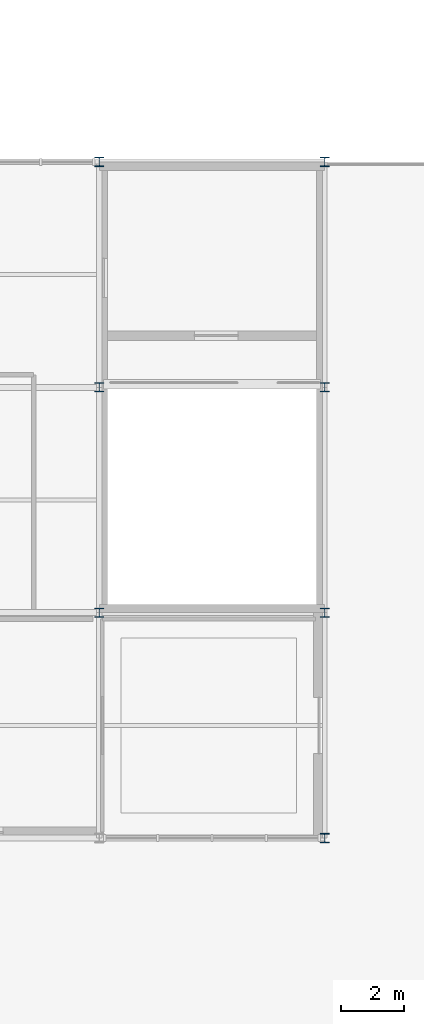
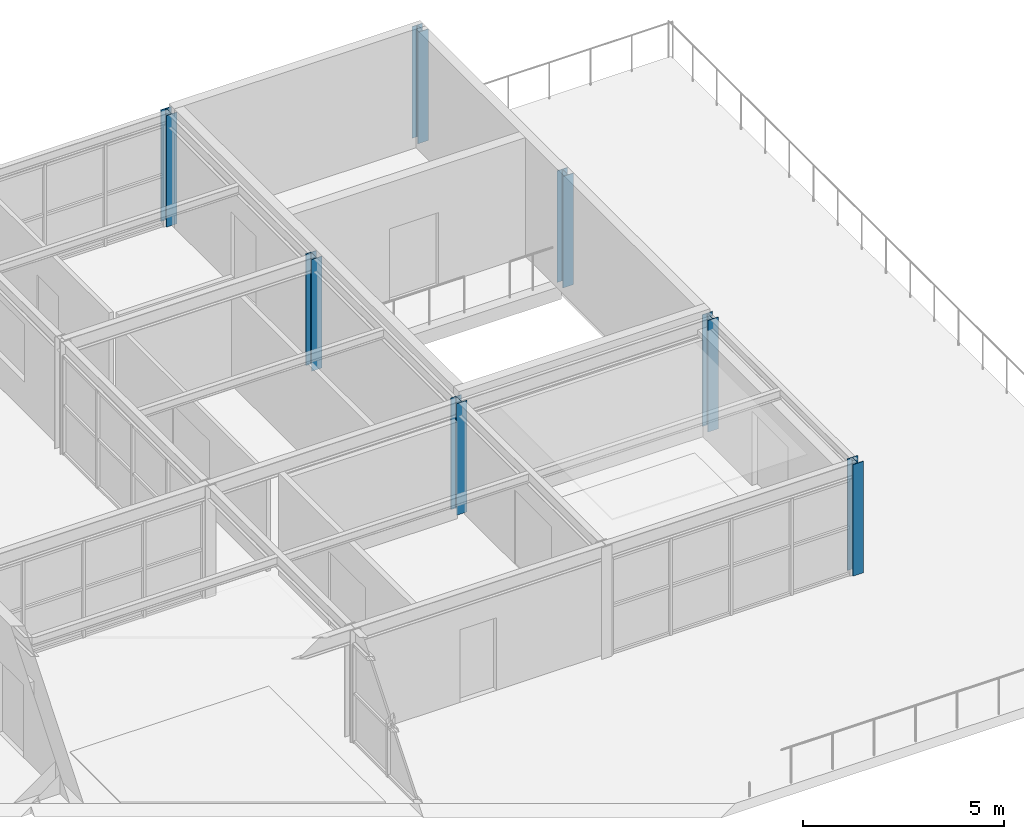
# One storey, part 6 of 22: 7 columns.
"""IFC4 building model written with IfcOpenShell, lengths in metres."""

import ifcopenshell
import ifcopenshell.guid

model = None  # the IFC model being written
_history = None  # IfcOwnerHistory: only IFC2X3 demands one
_inside = {}  # id of a spatial element -> (the spatial element, [elements in it])
_under = {}  # id of a project, library or spatial element -> (it, [spatial elements below it])
_declared = {}  # id of a project -> (the project, [libraries it declares])
_typed = {}  # id of a type object -> (the type object, [elements of that type])
_made_of = {}  # id of a material, layer set ... -> (it, [elements and type objects made of it])


def new_model(schema):
    """Start an empty IFC model of exactly this schema.

    Asked for "IFC4X3", IfcOpenShell would pick the latest addendum, in which some entities
    have other attributes; the version numbers below select the first issue.
    IFC2X3 requires an IfcOwnerHistory on every rooted entity: one is made here for all.
    """
    global model, _history
    if schema == "IFC4X3":
        model = ifcopenshell.file(schema_version=(4, 3, 0, 0))
    else:
        model = ifcopenshell.file(schema=schema)
    _inside.clear()
    _under.clear()
    _declared.clear()
    _typed.clear()
    _made_of.clear()
    _history = None
    if model.schema == "IFC2X3":
        org = make("IfcOrganization", Name="unknown")
        user = make(
            "IfcPersonAndOrganization",
            ThePerson=make("IfcPerson", FamilyName="unknown"),
            TheOrganization=org,
        )
        app = make(
            "IfcApplication",
            ApplicationDeveloper=org,
            Version="unknown",
            ApplicationFullName="unknown",
            ApplicationIdentifier="unknown",
        )
        _history = make(
            "IfcOwnerHistory",
            OwningUser=user,
            OwningApplication=app,
            ChangeAction="ADDED",
            CreationDate=0,
        )
    return model


def make(cls, **values):
    """One entity of the class cls with the attributes given. An attribute that is None is left unset."""
    return model.create_entity(
        cls, **{name: value for name, value in values.items() if value is not None}
    )


def rooted(cls, **values):
    """An entity with a GlobalId (a new one), such as an element, a storey or a relation."""
    return make(cls, GlobalId=ifcopenshell.guid.new(), OwnerHistory=_history, **values)


def si_unit(unit_type, name, prefix=None):
    """IfcSIUnit, for example si_unit("LENGTHUNIT", "METRE", prefix="MILLI")."""
    return make("IfcSIUnit", UnitType=unit_type, Prefix=prefix, Name=name)


def assignment(units):
    """IfcUnitAssignment: the units of a project."""
    return None if units is None else make("IfcUnitAssignment", Units=units)


def point(xyz):
    """IfcCartesianPoint."""
    return None if xyz is None else make("IfcCartesianPoint", Coordinates=xyz)


def direction(xyz):
    """IfcDirection."""
    return None if xyz is None else make("IfcDirection", DirectionRatios=xyz)


def frame(location, z_axis=None, x_axis=None):
    """IfcAxis2Placement3D, a coordinate frame: its origin and axes. An axis left out is left unset."""
    return make(
        "IfcAxis2Placement3D",
        Location=point(location),
        Axis=direction(z_axis),
        RefDirection=direction(x_axis),
    )


def frame_2d(location, x_axis=None):
    """IfcAxis2Placement2D, a coordinate frame in the plane: its origin and x axis."""
    return make(
        "IfcAxis2Placement2D", Location=point(location), RefDirection=direction(x_axis)
    )


def origin():
    """The frame at (0, 0, 0) with its axes left unset."""
    return frame((0.0, 0.0, 0.0))


def origin_2d():
    """The frame at (0, 0) in the plane with its x axis left unset."""
    return frame_2d((0.0, 0.0))


def place(relative_to, where):
    """IfcLocalPlacement: puts the frame where relative to a parent placement (None: the world)."""
    return make(
        "IfcLocalPlacement", PlacementRelTo=relative_to, RelativePlacement=where
    )


def context(
    kind, dimensions, precision=None, world=None, true_north=None, identifier=None
):
    """IfcGeometricRepresentationContext, for example the 3D "Model" context."""
    return make(
        "IfcGeometricRepresentationContext",
        ContextIdentifier=identifier,
        ContextType=kind,
        CoordinateSpaceDimension=dimensions,
        Precision=precision,
        WorldCoordinateSystem=world,
        TrueNorth=true_north,
    )


def subcontext(parent, identifier, kind, view, scale=None):
    """IfcGeometricRepresentationSubContext, for example "Body" below "Model"."""
    return make(
        "IfcGeometricRepresentationSubContext",
        ContextIdentifier=identifier,
        ContextType=kind,
        ParentContext=parent,
        TargetScale=scale,
        TargetView=view,
    )


def project(units=None, contexts=None):
    """IfcProject with its units and contexts."""
    return rooted(
        "IfcProject",
        Name="project",
        RepresentationContexts=contexts,
        UnitsInContext=assignment(units),
    )


def spatial(cls, under=None, at=None, **own):
    """A site, building, storey or space (cls), placed at a placement, below another one or the project."""
    s = rooted(cls, ObjectPlacement=at, **own)
    if under is not None:
        _under.setdefault(under.id(), (under, []))[1].append(s)
    return s


def profile(cls, at=None, kind="AREA", **sizes):
    """A parametric profile (cls). Its sizes go by their IFC names, for example OverallWidth=200.0."""
    return make(cls, ProfileType=kind, Position=at, **sizes)


def i_section(**sizes):
    """IfcIShapeProfileDef."""
    return profile("IfcIShapeProfileDef", **sizes)


def extrude(swept, where, along, depth):
    """IfcExtrudedAreaSolid: the profile swept, set in the frame where, extruded along a direction by depth."""
    return make(
        "IfcExtrudedAreaSolid",
        SweptArea=swept,
        Position=where,
        ExtrudedDirection=direction(along),
        Depth=depth,
    )


def shape(context_of_items, identifier, shape_type, items):
    """IfcShapeRepresentation: the items that make up one representation, for example the "Body"."""
    return make(
        "IfcShapeRepresentation",
        ContextOfItems=context_of_items,
        RepresentationIdentifier=identifier,
        RepresentationType=shape_type,
        Items=items,
    )


def material(Name=None, Category=None):
    """IfcMaterial."""
    return make("IfcMaterial", Name=Name, Category=Category)


def material_profile(
    of_material, cross_section, Name=None, Category=None, Priority=None
):
    """IfcMaterialProfile: a cross section and its material."""
    return make(
        "IfcMaterialProfile",
        Name=Name,
        Material=of_material,
        Profile=cross_section,
        Priority=Priority,
        Category=Category,
    )


def profile_set(profiles, Name=None, composite=None):
    """IfcMaterialProfileSet."""
    return make(
        "IfcMaterialProfileSet",
        Name=Name,
        MaterialProfiles=profiles,
        CompositeProfile=composite,
    )


def made_of(thing, what):
    """Note that an element or type object is made of a material, layer set ...; save() writes the relation."""
    if what is not None:
        _made_of.setdefault(what.id(), (what, []))[1].append(thing)
    return thing


def type_object(cls, material=None, **own):
    """A type object (cls), such as IfcWallType, which elements share."""
    return made_of(rooted(cls, **own), material)


def element(
    cls,
    number,
    at=None,
    inside=None,
    cuts=None,
    type_object=None,
    material=None,
    context=None,
    identifier="Body",
    shape_type=None,
    held_by="IfcProductDefinitionShape",
    body=None,
    shapes=None,
    **own,
):
    """One element of the class cls, such as IfcWall. Its Tag is "e" and its number.

    at: its placement. inside: the storey or other place that contains it. cuts: it is an
    opening in that element (IfcRelVoidsElement). A single representation is given by context,
    identifier, shape_type and body (its items); several are given by shapes. held_by: the class
    of the entity that holds the representations. save() writes the other relations.
    """
    e = rooted(cls, Tag="e%d" % number, ObjectPlacement=at, **own)
    if body is not None:
        shapes = [shape(context, identifier, shape_type, body)]
    if shapes is not None:
        e.Representation = make(held_by, Representations=shapes)
    if inside is not None:
        _inside.setdefault(inside.id(), (inside, []))[1].append(e)
    if cuts is not None:
        rooted(
            "IfcRelVoidsElement", RelatingBuildingElement=cuts, RelatedOpeningElement=e
        )
    if type_object is not None:
        _typed.setdefault(type_object.id(), (type_object, []))[1].append(e)
    return made_of(e, material)


def aggregate(whole, parts):
    """IfcRelAggregates: a whole, such as a stair, and the parts it consists of."""
    return rooted("IfcRelAggregates", RelatingObject=whole, RelatedObjects=parts)


def save(model, path):
    """Write the relations noted so far, then the file.

    IfcRelAggregates (storeys below a building ...), IfcRelContainedInSpatialStructure (elements
    in a storey), IfcRelDefinesByType, IfcRelAssociatesMaterial and IfcRelDeclares: one each for
    every whole, place, type object, material and project.
    """
    for whole, parts in _under.values():
        aggregate(whole, parts)
    for where, things in _inside.values():
        rooted(
            "IfcRelContainedInSpatialStructure",
            RelatedElements=things,
            RelatingStructure=where,
        )
    for kind, things in _typed.values():
        rooted("IfcRelDefinesByType", RelatedObjects=things, RelatingType=kind)
    for what, things in _made_of.values():
        rooted("IfcRelAssociatesMaterial", RelatedObjects=things, RelatingMaterial=what)
    for by, libraries in _declared.values():
        rooted("IfcRelDeclares", RelatingContext=by, RelatedDefinitions=libraries)
    model.write(path)


model = new_model("IFC4")

# Units and contexts
model_context = context("Model", 3, precision=1e-05, world=origin(), true_north=direction((0.0, 1.0)))
body_context = subcontext(model_context, "Body", "Model", "MODEL_VIEW")
ifc_project = project(units=[si_unit("LENGTHUNIT", "METRE"), si_unit("AREAUNIT", "SQUARE_METRE"), si_unit("VOLUMEUNIT", "CUBIC_METRE"), si_unit("PLANEANGLEUNIT", "RADIAN"), si_unit("MASSUNIT", "GRAM", prefix="KILO")], contexts=[model_context])

# Site, building, storey
site_placement = place(None, origin())
site = spatial("IfcSite", under=ifc_project, at=site_placement, CompositionType="ELEMENT")
building_placement = place(site_placement, origin())
building = spatial("IfcBuilding", under=site, at=building_placement, Name="Leyfeld Transit Interchange", CompositionType="ELEMENT")
storey_placement = place(building_placement, frame((0.0, 0.0, 18.0)))
storey = spatial("IfcBuildingStorey", under=building, at=storey_placement, Name="L04", CompositionType="ELEMENT", Elevation=18.0)

# Columns
ifc_material = material(Name="Steel S355J2", Category="steel")
ifc_material_profile = material_profile(ifc_material, i_section(OverallWidth=0.300048828125, OverallDepth=0.300048828125, WebThickness=0.010986328125, FlangeThickness=0.01904296875, FilletRadius=0.027099609375, at=origin_2d()), Name="HEB 300")
ifc_profile_set = profile_set([ifc_material_profile], Name="Steel S355J2")
column_type = type_object("IfcColumnType", Name="COL-STL-HEB300", PredefinedType="COLUMN", material=ifc_profile_set)
for number, where, z_axis, x_axis, name in (
    (1, (165.60009765625, 72.0, 0.0), (0.0, 0.0, 1.0), (1.0, 0.0, 0.0), "Column COL-L04-1656_0720"),
    (2, (165.60009765625, 79.199951171875, 0.0), (0.0, 0.0, 1.0), (1.0, 0.0, 0.0), "Column COL-L04-1656_0792"),
    (3, (165.60009765625, 86.39990234375, 0.0), (0.0, 0.0, 1.0), (1.0, 0.0, 0.0), "Column COL-L04-1656_0864"),
    (4, (172.800048828125, 64.800048828125, 0.0), (0.0, 0.0, 1.0), (1.0, 0.0, 0.0), "Column COL-L04-1728_0648"),
    (5, (172.800048828125, 72.0, 0.0), (0.0, 0.0, 1.0), (1.0, 0.0, 0.0), "Column COL-L04-1728_0720"),
    (6, (172.800048828125, 79.199951171875, 0.0), (0.0, 0.0, 1.0), (1.0, 0.0, 0.0), "Column COL-L04-1728_0792"),
    (7, (172.800048828125, 86.39990234375, 0.0), (0.0, 0.0, 1.0), (1.0, 0.0, 0.0), "Column COL-L04-1728_0864"),
):
    element("IfcColumn", number, at=place(storey_placement, frame(where, z_axis=z_axis, x_axis=x_axis)), inside=storey, type_object=column_type, Name=name, PredefinedType="COLUMN", context=body_context, shape_type="SweptSolid", body=[
        extrude(i_section(OverallWidth=0.300048828125, OverallDepth=0.300048828125, WebThickness=0.010986328125, FlangeThickness=0.01904296875, FilletRadius=0.027099609375, at=origin_2d()), origin(), (0.0, 0.0, 1.0), 3.3798828125),
    ])

save(model, "model.ifc")
